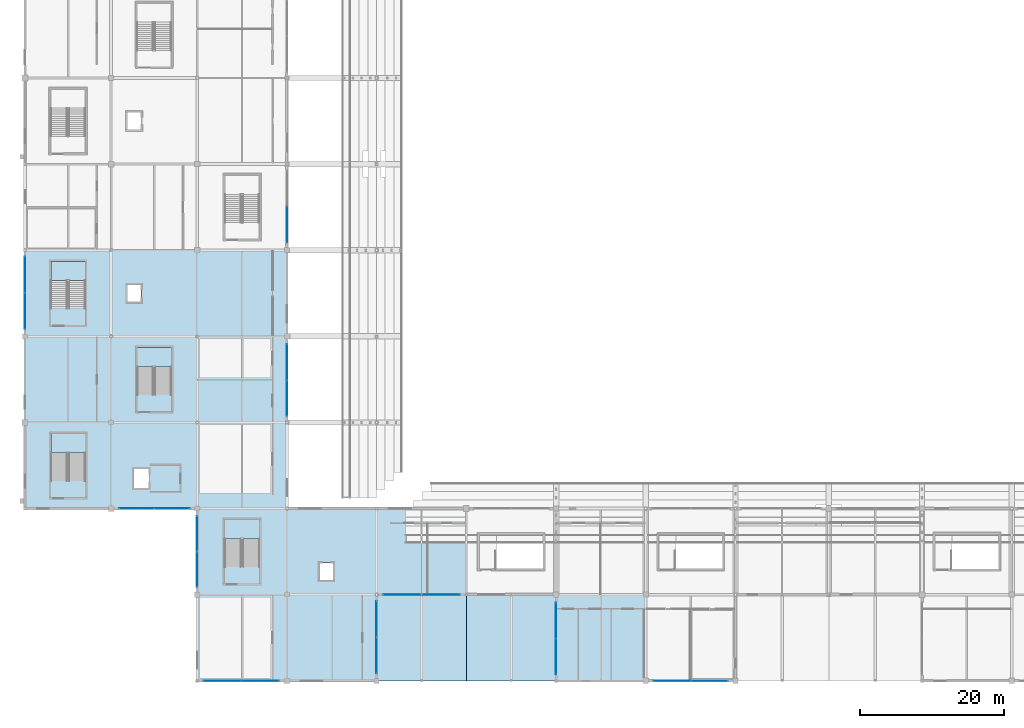
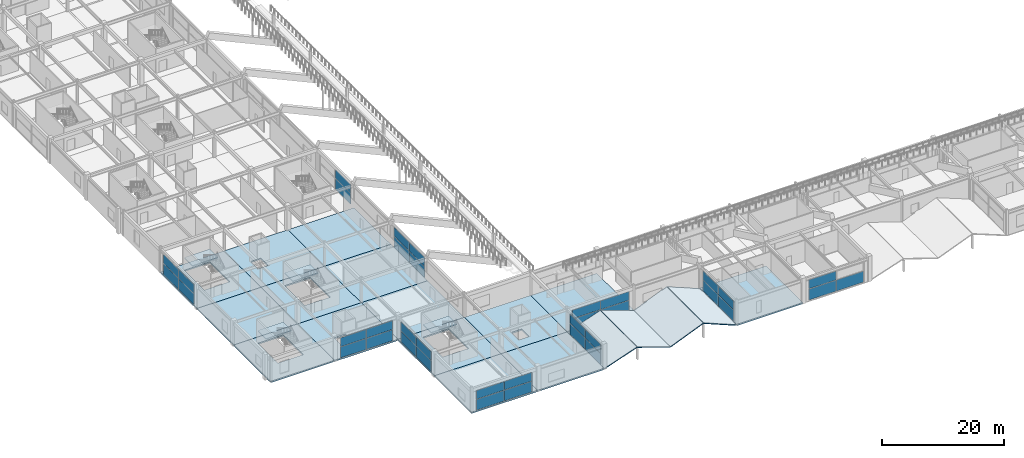
# One storey, part 69 of 128: 37 plates, 23 slabs, 14 elements without a shape of their own.
"""IFC4 building model written with IfcOpenShell, lengths in metres."""

from ifc_helpers import new_model, si_unit, direction, frame, origin, origin_2d, place, context, subcontext, project, spatial, polyline, rectangle, outline, extrude, material, layer, layer_set, type_object, element, aggregate, save


model = new_model("IFC4")

# Units and contexts
model_context = context("Model", 3, precision=1e-05, world=origin(), true_north=direction((0.0, 1.0)))
body_context = subcontext(model_context, "Body", "Model", "MODEL_VIEW")
ifc_project = project(units=[si_unit("LENGTHUNIT", "METRE"), si_unit("AREAUNIT", "SQUARE_METRE"), si_unit("VOLUMEUNIT", "CUBIC_METRE"), si_unit("PLANEANGLEUNIT", "RADIAN"), si_unit("MASSUNIT", "GRAM", prefix="KILO")], contexts=[model_context])

# Site, building, storey
site_placement = place(None, origin())
site = spatial("IfcSite", under=ifc_project, at=site_placement, CompositionType="ELEMENT")
building_placement = place(site_placement, origin())
building = spatial("IfcBuilding", under=site, at=building_placement, Name="Kazenohara Klinker Stadium", CompositionType="ELEMENT")
storey_placement = place(building_placement, frame((0.0, 0.0, 15.300048828125)))
storey = spatial("IfcBuildingStorey", under=building, at=storey_placement, Name="L03", CompositionType="ELEMENT", Elevation=15.300048828125)

# Curtain wall, plates
ifc_material_1 = material(Name="Anodised aluminium and triple glazing", Category="aluminium")
ifc_layer_1 = layer(ifc_material_1, 0.18994140625)
ifc_layer_set_1 = layer_set([ifc_layer_1], Name="Anodised aluminium and triple glazing")
curtain_wall_type_1 = type_object("IfcCurtainWallType", Name="CW-SYS-05", PredefinedType="USERDEFINED", material=ifc_layer_set_1)
curtain_wall_1_placement = place(storey_placement, origin())
curtain_wall_1 = element("IfcCurtainWall", 1, at=curtain_wall_1_placement, inside=storey, type_object=curtain_wall_type_1, Name="Unitised facade curtain wall CW05 L03 Y0-5", ObjectType="UNITISED CURTAIN WALL", PredefinedType="USERDEFINED")
ifc_material_2 = material(Name="Low-e laminated triple glazing", Category="glass")
ifc_layer_2 = layer(ifc_material_2, 0.0439453125)
ifc_layer_set_2 = layer_set([ifc_layer_2], Name="Low-e laminated triple glazing")
plate_type = type_object("IfcPlateType", Name="CW-PNL-44", PredefinedType="CURTAIN_PANEL", material=ifc_layer_set_2)
plate_1_placement = place(storey_placement, frame((0.0, 63.558349609375, 0.074951171875), z_axis=(0.0, 0.0, 1.0), x_axis=(0.0, 1.0, 0.0)))
plate_1 = element("IfcPlate", 2, at=plate_1_placement, type_object=plate_type, Name="CW05 panel 1.1", PredefinedType="CURTAIN_PANEL", context=body_context, shape_type="SweptSolid", body=[
    extrude(rectangle(XDim=4.95849609375, YDim=0.0439453125, at=origin_2d()), origin(), (0.0, 0.0, 1.0), 2.18212890625),
])
plate_2_placement = place(storey_placement, frame((0.0, 63.558349609375, 2.33203125), z_axis=(0.0, 0.0, 1.0), x_axis=(0.0, 1.0, 0.0)))
plate_2 = element("IfcPlate", 3, at=plate_2_placement, type_object=plate_type, Name="CW05 panel 1.2", PredefinedType="CURTAIN_PANEL", context=body_context, shape_type="SweptSolid", body=[
    extrude(rectangle(XDim=4.95849609375, YDim=0.0439453125, at=origin_2d()), origin(), (0.0, 0.0, 1.0), 1.764892578125),
])
plate_3_placement = place(storey_placement, frame((0.0, 68.591796875, 0.074951171875), z_axis=(0.0, 0.0, 1.0), x_axis=(0.0, 1.0, 0.0)))
plate_3 = element("IfcPlate", 4, at=plate_3_placement, type_object=plate_type, Name="CW05 panel 2.1", PredefinedType="CURTAIN_PANEL", context=body_context, shape_type="SweptSolid", body=[
    extrude(rectangle(XDim=4.95849609375, YDim=0.0439453125, at=origin_2d()), origin(), (0.0, 0.0, 1.0), 2.18212890625),
])
plate_4_placement = place(storey_placement, frame((0.0, 68.591796875, 2.33203125), z_axis=(0.0, 0.0, 1.0), x_axis=(0.0, 1.0, 0.0)))
plate_4 = element("IfcPlate", 5, at=plate_4_placement, type_object=plate_type, Name="CW05 panel 2.2", PredefinedType="CURTAIN_PANEL", context=body_context, shape_type="SweptSolid", body=[
    extrude(rectangle(XDim=4.95849609375, YDim=0.0439453125, at=origin_2d()), origin(), (0.0, 0.0, 1.0), 1.764892578125),
])
aggregate(curtain_wall_1, [plate_1, plate_2, plate_3, plate_4])

ifc_layer_3 = layer(ifc_material_1, 0.199951171875)
ifc_layer_set_3 = layer_set([ifc_layer_3], Name="Anodised aluminium and triple glazing")
curtain_wall_type_2 = type_object("IfcCurtainWallType", Name="CW-SYS-03", PredefinedType="USERDEFINED", material=ifc_layer_set_3)
curtain_wall_2_placement = place(storey_placement, origin())
curtain_wall_2 = element("IfcCurtainWall", 6, at=curtain_wall_2_placement, inside=storey, type_object=curtain_wall_type_2, Name="Unitised facade curtain wall CW03 L03 X1-3", ObjectType="UNITISED CURTAIN WALL", PredefinedType="USERDEFINED")
plate_5_placement = place(storey_placement, frame((15.558349609375, 36.0, 0.07470703125), z_axis=(0.0, 0.0, 1.0), x_axis=(1.0, 0.0, 0.0)))
plate_5 = element("IfcPlate", 7, at=plate_5_placement, type_object=plate_type, Name="CW03 panel 1.1", PredefinedType="CURTAIN_PANEL", context=body_context, shape_type="SweptSolid", body=[
    extrude(rectangle(XDim=4.8583984375, YDim=0.0439453125, at=origin_2d()), origin(), (0.0, 0.0, 1.0), 2.175537109375),
])
plate_6_placement = place(storey_placement, frame((15.558349609375, 36.0, 2.32568359375), z_axis=(0.0, 0.0, 1.0), x_axis=(1.0, 0.0, 0.0)))
plate_6 = element("IfcPlate", 8, at=plate_6_placement, type_object=plate_type, Name="CW03 panel 1.2", PredefinedType="CURTAIN_PANEL", context=body_context, shape_type="SweptSolid", body=[
    extrude(rectangle(XDim=4.8583984375, YDim=0.0439453125, at=origin_2d()), origin(), (0.0, 0.0, 1.0), 1.759521484375),
])
plate_7_placement = place(storey_placement, frame((20.49169921875, 36.0, 0.07470703125), z_axis=(0.0, 0.0, 1.0), x_axis=(1.0, 0.0, 0.0)))
plate_7 = element("IfcPlate", 9, at=plate_7_placement, type_object=plate_type, Name="CW03 panel 2.1", PredefinedType="CURTAIN_PANEL", context=body_context, shape_type="SweptSolid", body=[
    extrude(rectangle(XDim=4.8583984375, YDim=0.0439453125, at=origin_2d()), origin(), (0.0, 0.0, 1.0), 2.175537109375),
])
plate_8_placement = place(storey_placement, frame((20.49169921875, 36.0, 2.32568359375), z_axis=(0.0, 0.0, 1.0), x_axis=(1.0, 0.0, 0.0)))
plate_8 = element("IfcPlate", 10, at=plate_8_placement, type_object=plate_type, Name="CW03 panel 2.2", PredefinedType="CURTAIN_PANEL", context=body_context, shape_type="SweptSolid", body=[
    extrude(rectangle(XDim=4.8583984375, YDim=0.0439453125, at=origin_2d()), origin(), (0.0, 0.0, 1.0), 1.759521484375),
])
aggregate(curtain_wall_2, [plate_5, plate_6, plate_7, plate_8])

ifc_layer_4 = layer(ifc_material_1, 0.169921875)
ifc_layer_set_4 = layer_set([ifc_layer_4], Name="Anodised aluminium and triple glazing")
curtain_wall_type_3 = type_object("IfcCurtainWallType", Name="CW-SYS-04", PredefinedType="USERDEFINED", material=ifc_layer_set_4)
curtain_wall_3_placement = place(storey_placement, origin())
curtain_wall_3 = element("IfcCurtainWall", 11, at=curtain_wall_3_placement, inside=storey, type_object=curtain_wall_type_3, Name="Unitised facade curtain wall CW04 L03 X2-1", ObjectType="UNITISED CURTAIN WALL", PredefinedType="USERDEFINED")
plate_9_placement = place(storey_placement, frame((27.501953125, 12.0, 0.074951171875), z_axis=(0.0, 0.0, 1.0), x_axis=(1.0, 0.0, 0.0)))
plate_9 = element("IfcPlate", 12, at=plate_9_placement, type_object=plate_type, Name="CW04 panel 1.1", PredefinedType="CURTAIN_PANEL", context=body_context, shape_type="SweptSolid", body=[
    extrude(rectangle(XDim=5.196044921875, YDim=0.0439453125, at=origin_2d()), origin(), (0.0, 0.0, 1.0), 2.12060546875),
])
plate_10_placement = place(storey_placement, frame((27.501953125, 12.0, 2.2705078125), z_axis=(0.0, 0.0, 1.0), x_axis=(1.0, 0.0, 0.0)))
plate_10 = element("IfcPlate", 13, at=plate_10_placement, type_object=plate_type, Name="CW04 panel 1.2", PredefinedType="CURTAIN_PANEL", context=body_context, shape_type="SweptSolid", body=[
    extrude(rectangle(XDim=5.196044921875, YDim=0.0439453125, at=origin_2d()), origin(), (0.0, 0.0, 1.0), 1.714599609375),
])
plate_11_placement = place(storey_placement, frame((32.77294921875, 12.0, 0.074951171875), z_axis=(0.0, 0.0, 1.0), x_axis=(1.0, 0.0, 0.0)))
plate_11 = element("IfcPlate", 14, at=plate_11_placement, type_object=plate_type, Name="CW04 panel 2.1", PredefinedType="CURTAIN_PANEL", context=body_context, shape_type="SweptSolid", body=[
    extrude(rectangle(XDim=5.196044921875, YDim=0.0439453125, at=origin_2d()), origin(), (0.0, 0.0, 1.0), 2.12060546875),
])
plate_12_placement = place(storey_placement, frame((32.77294921875, 12.0, 2.2705078125), z_axis=(0.0, 0.0, 1.0), x_axis=(1.0, 0.0, 0.0)))
plate_12 = element("IfcPlate", 15, at=plate_12_placement, type_object=plate_type, Name="CW04 panel 2.2", PredefinedType="CURTAIN_PANEL", context=body_context, shape_type="SweptSolid", body=[
    extrude(rectangle(XDim=5.196044921875, YDim=0.0439453125, at=origin_2d()), origin(), (0.0, 0.0, 1.0), 1.714599609375),
])
aggregate(curtain_wall_3, [plate_9, plate_10, plate_11, plate_12])

curtain_wall_4_placement = place(storey_placement, origin())
curtain_wall_4 = element("IfcCurtainWall", 16, at=curtain_wall_4_placement, inside=storey, type_object=curtain_wall_type_1, Name="Unitised facade curtain wall CW05 L03 Y2-2", ObjectType="UNITISED CURTAIN WALL", PredefinedType="USERDEFINED")
plate_13_placement = place(storey_placement, frame((24.0, 27.558349609375, 0.07470703125), z_axis=(0.0, 0.0, 1.0), x_axis=(0.0, 1.0, 0.0)))
plate_13 = element("IfcPlate", 17, at=plate_13_placement, type_object=plate_type, Name="CW05 panel 1.1", PredefinedType="CURTAIN_PANEL", context=body_context, shape_type="SweptSolid", body=[
    extrude(rectangle(XDim=4.8583984375, YDim=0.0439453125, at=origin_2d()), origin(), (0.0, 0.0, 1.0), 2.175537109375),
])
plate_14_placement = place(storey_placement, frame((24.0, 27.558349609375, 2.32568359375), z_axis=(0.0, 0.0, 1.0), x_axis=(0.0, 1.0, 0.0)))
plate_14 = element("IfcPlate", 18, at=plate_14_placement, type_object=plate_type, Name="CW05 panel 1.2", PredefinedType="CURTAIN_PANEL", context=body_context, shape_type="SweptSolid", body=[
    extrude(rectangle(XDim=4.8583984375, YDim=0.0439453125, at=origin_2d()), origin(), (0.0, 0.0, 1.0), 1.759521484375),
])
plate_15_placement = place(storey_placement, frame((24.0, 32.49169921875, 0.07470703125), z_axis=(0.0, 0.0, 1.0), x_axis=(0.0, 1.0, 0.0)))
plate_15 = element("IfcPlate", 19, at=plate_15_placement, type_object=plate_type, Name="CW05 panel 2.1", PredefinedType="CURTAIN_PANEL", context=body_context, shape_type="SweptSolid", body=[
    extrude(rectangle(XDim=4.8583984375, YDim=0.0439453125, at=origin_2d()), origin(), (0.0, 0.0, 1.0), 2.175537109375),
])
plate_16_placement = place(storey_placement, frame((24.0, 32.49169921875, 2.32568359375), z_axis=(0.0, 0.0, 1.0), x_axis=(0.0, 1.0, 0.0)))
plate_16 = element("IfcPlate", 20, at=plate_16_placement, type_object=plate_type, Name="CW05 panel 2.2", PredefinedType="CURTAIN_PANEL", context=body_context, shape_type="SweptSolid", body=[
    extrude(rectangle(XDim=4.8583984375, YDim=0.0439453125, at=origin_2d()), origin(), (0.0, 0.0, 1.0), 1.759521484375),
])
aggregate(curtain_wall_4, [plate_13, plate_14, plate_15, plate_16])

ifc_layer_5 = layer(ifc_material_1, 0.159912109375)
ifc_layer_set_5 = layer_set([ifc_layer_5], Name="Anodised aluminium and triple glazing")
curtain_wall_type_4 = type_object("IfcCurtainWallType", Name="CW-SYS-01", PredefinedType="USERDEFINED", material=ifc_layer_set_5)
curtain_wall_5_placement = place(storey_placement, origin())
curtain_wall_5 = element("IfcCurtainWall", 21, at=curtain_wall_5_placement, inside=storey, type_object=curtain_wall_type_4, Name="Unitised facade curtain wall CW01 L03 Y3-4", ObjectType="UNITISED CURTAIN WALL", PredefinedType="USERDEFINED")
plate_17_placement = place(storey_placement, frame((36.5, 51.376953125, 0.07470703125), z_axis=(0.0, 0.0, 1.0), x_axis=(0.0, 1.0, 0.0)))
plate_17 = element("IfcPlate", 22, at=plate_17_placement, type_object=plate_type, Name="CW01 panel 1.1", PredefinedType="CURTAIN_PANEL", context=body_context, shape_type="SweptSolid", body=[
    extrude(rectangle(XDim=4.946044921875, YDim=0.0439453125, at=origin_2d()), origin(), (0.0, 0.0, 1.0), 2.175537109375),
])
plate_18_placement = place(storey_placement, frame((36.5, 51.376953125, 2.32568359375), z_axis=(0.0, 0.0, 1.0), x_axis=(0.0, 1.0, 0.0)))
plate_18 = element("IfcPlate", 23, at=plate_18_placement, type_object=plate_type, Name="CW01 panel 1.2", PredefinedType="CURTAIN_PANEL", context=body_context, shape_type="SweptSolid", body=[
    extrude(rectangle(XDim=4.946044921875, YDim=0.0439453125, at=origin_2d()), origin(), (0.0, 0.0, 1.0), 1.759521484375),
])
plate_19_placement = place(storey_placement, frame((36.5, 56.39794921875, 0.07470703125), z_axis=(0.0, 0.0, 1.0), x_axis=(0.0, 1.0, 0.0)))
plate_19 = element("IfcPlate", 24, at=plate_19_placement, type_object=plate_type, Name="CW01 panel 2.1", PredefinedType="CURTAIN_PANEL", context=body_context, shape_type="SweptSolid", body=[
    extrude(rectangle(XDim=4.946044921875, YDim=0.0439453125, at=origin_2d()), origin(), (0.0, 0.0, 1.0), 2.175537109375),
])
plate_20_placement = place(storey_placement, frame((36.5, 56.39794921875, 2.32568359375), z_axis=(0.0, 0.0, 1.0), x_axis=(0.0, 1.0, 0.0)))
plate_20 = element("IfcPlate", 25, at=plate_20_placement, type_object=plate_type, Name="CW01 panel 2.2", PredefinedType="CURTAIN_PANEL", context=body_context, shape_type="SweptSolid", body=[
    extrude(rectangle(XDim=4.946044921875, YDim=0.0439453125, at=origin_2d()), origin(), (0.0, 0.0, 1.0), 1.759521484375),
])
aggregate(curtain_wall_5, [plate_17, plate_18, plate_19, plate_20])

ifc_layer_6 = layer(ifc_material_1, 0.179931640625)
ifc_layer_set_6 = layer_set([ifc_layer_6], Name="Anodised aluminium and triple glazing")
curtain_wall_type_5 = type_object("IfcCurtainWallType", Name="CW-SYS-02", PredefinedType="USERDEFINED", material=ifc_layer_set_6)
curtain_wall_6_placement = place(storey_placement, origin())
curtain_wall_6 = element("IfcCurtainWall", 26, at=curtain_wall_6_placement, inside=storey, type_object=curtain_wall_type_5, Name="Unitised facade curtain wall CW02 L03 Y3-6", ObjectType="UNITISED CURTAIN WALL", PredefinedType="USERDEFINED")
plate_21_placement = place(storey_placement, frame((36.5, 75.558349609375, 0.074951171875), z_axis=(0.0, 0.0, 1.0), x_axis=(0.0, 1.0, 0.0)))
plate_21 = element("IfcPlate", 27, at=plate_21_placement, type_object=plate_type, Name="CW02 panel 1.1", PredefinedType="CURTAIN_PANEL", context=body_context, shape_type="SweptSolid", body=[
    extrude(rectangle(XDim=4.95849609375, YDim=0.0439453125, at=origin_2d()), origin(), (0.0, 0.0, 1.0), 2.12060546875),
])
plate_22_placement = place(storey_placement, frame((36.5, 75.558349609375, 2.2705078125), z_axis=(0.0, 0.0, 1.0), x_axis=(0.0, 1.0, 0.0)))
plate_22 = element("IfcPlate", 28, at=plate_22_placement, type_object=plate_type, Name="CW02 panel 1.2", PredefinedType="CURTAIN_PANEL", context=body_context, shape_type="SweptSolid", body=[
    extrude(rectangle(XDim=4.95849609375, YDim=0.0439453125, at=origin_2d()), origin(), (0.0, 0.0, 1.0), 1.714599609375),
])
aggregate(curtain_wall_6, [plate_21, plate_22])

curtain_wall_7_placement = place(storey_placement, origin())
curtain_wall_7 = element("IfcCurtainWall", 29, at=curtain_wall_7_placement, inside=storey, type_object=curtain_wall_type_5, Name="Unitised facade curtain wall CW02 L03 Y4-1", ObjectType="UNITISED CURTAIN WALL", PredefinedType="USERDEFINED")
plate_23_placement = place(storey_placement, frame((49.0, 15.558349609375, 0.074951171875), z_axis=(0.0, 0.0, 1.0), x_axis=(0.0, 1.0, 0.0)))
plate_23 = element("IfcPlate", 30, at=plate_23_placement, type_object=plate_type, Name="CW02 panel 1.1", PredefinedType="CURTAIN_PANEL", context=body_context, shape_type="SweptSolid", body=[
    extrude(rectangle(XDim=4.95849609375, YDim=0.0439453125, at=origin_2d()), origin(), (0.0, 0.0, 1.0), 2.18212890625),
])
plate_24_placement = place(storey_placement, frame((49.0, 15.558349609375, 2.33203125), z_axis=(0.0, 0.0, 1.0), x_axis=(0.0, 1.0, 0.0)))
plate_24 = element("IfcPlate", 31, at=plate_24_placement, type_object=plate_type, Name="CW02 panel 1.2", PredefinedType="CURTAIN_PANEL", context=body_context, shape_type="SweptSolid", body=[
    extrude(rectangle(XDim=4.95849609375, YDim=0.0439453125, at=origin_2d()), origin(), (0.0, 0.0, 1.0), 1.764892578125),
])
plate_25_placement = place(storey_placement, frame((49.0, 20.591796875, 0.074951171875), z_axis=(0.0, 0.0, 1.0), x_axis=(0.0, 1.0, 0.0)))
plate_25 = element("IfcPlate", 32, at=plate_25_placement, type_object=plate_type, Name="CW02 panel 2.1", PredefinedType="CURTAIN_PANEL", context=body_context, shape_type="SweptSolid", body=[
    extrude(rectangle(XDim=4.95849609375, YDim=0.0439453125, at=origin_2d()), origin(), (0.0, 0.0, 1.0), 2.18212890625),
])
plate_26_placement = place(storey_placement, frame((49.0, 20.591796875, 2.33203125), z_axis=(0.0, 0.0, 1.0), x_axis=(0.0, 1.0, 0.0)))
plate_26 = element("IfcPlate", 33, at=plate_26_placement, type_object=plate_type, Name="CW02 panel 2.2", PredefinedType="CURTAIN_PANEL", context=body_context, shape_type="SweptSolid", body=[
    extrude(rectangle(XDim=4.95849609375, YDim=0.0439453125, at=origin_2d()), origin(), (0.0, 0.0, 1.0), 1.764892578125),
])
aggregate(curtain_wall_7, [plate_23, plate_24, plate_25, plate_26])

curtain_wall_8_placement = place(storey_placement, origin())
curtain_wall_8 = element("IfcCurtainWall", 34, at=curtain_wall_8_placement, inside=storey, type_object=curtain_wall_type_2, Name="Unitised facade curtain wall CW03 L03 X4-2", ObjectType="UNITISED CURTAIN WALL", PredefinedType="USERDEFINED")
plate_27_placement = place(storey_placement, frame((52.576904296875, 24.0, 0.074951171875), z_axis=(0.0, 0.0, 1.0), x_axis=(1.0, 0.0, 0.0)))
plate_27 = element("IfcPlate", 35, at=plate_27_placement, type_object=plate_type, Name="CW03 panel 1.1", PredefinedType="CURTAIN_PANEL", context=body_context, shape_type="SweptSolid", body=[
    extrude(rectangle(XDim=5.2958984375, YDim=0.0439453125, at=origin_2d()), origin(), (0.0, 0.0, 1.0), 2.12060546875),
])
plate_28_placement = place(storey_placement, frame((52.576904296875, 24.0, 2.2705078125), z_axis=(0.0, 0.0, 1.0), x_axis=(1.0, 0.0, 0.0)))
plate_28 = element("IfcPlate", 36, at=plate_28_placement, type_object=plate_type, Name="CW03 panel 1.2", PredefinedType="CURTAIN_PANEL", context=body_context, shape_type="SweptSolid", body=[
    extrude(rectangle(XDim=5.2958984375, YDim=0.0439453125, at=origin_2d()), origin(), (0.0, 0.0, 1.0), 1.714599609375),
])
plate_29_placement = place(storey_placement, frame((57.947998046875, 24.0, 0.074951171875), z_axis=(0.0, 0.0, 1.0), x_axis=(1.0, 0.0, 0.0)))
plate_29 = element("IfcPlate", 37, at=plate_29_placement, type_object=plate_type, Name="CW03 panel 2.1", PredefinedType="CURTAIN_PANEL", context=body_context, shape_type="SweptSolid", body=[
    extrude(rectangle(XDim=5.2958984375, YDim=0.0439453125, at=origin_2d()), origin(), (0.0, 0.0, 1.0), 2.12060546875),
])
plate_30_placement = place(storey_placement, frame((57.947998046875, 24.0, 2.2705078125), z_axis=(0.0, 0.0, 1.0), x_axis=(1.0, 0.0, 0.0)))
plate_30 = element("IfcPlate", 38, at=plate_30_placement, type_object=plate_type, Name="CW03 panel 2.2", PredefinedType="CURTAIN_PANEL", context=body_context, shape_type="SweptSolid", body=[
    extrude(rectangle(XDim=5.2958984375, YDim=0.0439453125, at=origin_2d()), origin(), (0.0, 0.0, 1.0), 1.714599609375),
])
aggregate(curtain_wall_8, [plate_27, plate_28, plate_29, plate_30])

curtain_wall_9_placement = place(storey_placement, origin())
curtain_wall_9 = element("IfcCurtainWall", 39, at=curtain_wall_9_placement, inside=storey, type_object=curtain_wall_type_2, Name="Unitised facade curtain wall CW03 L03 Y6-1", ObjectType="UNITISED CURTAIN WALL", PredefinedType="USERDEFINED")
plate_31_placement = place(storey_placement, frame((74.0, 15.376953125, 0.07470703125), z_axis=(0.0, 0.0, 1.0), x_axis=(0.0, 1.0, 0.0)))
plate_31 = element("IfcPlate", 40, at=plate_31_placement, type_object=plate_type, Name="CW03 panel 1.1", PredefinedType="CURTAIN_PANEL", context=body_context, shape_type="SweptSolid", body=[
    extrude(rectangle(XDim=4.946044921875, YDim=0.0439453125, at=origin_2d()), origin(), (0.0, 0.0, 1.0), 2.175537109375),
])
plate_32_placement = place(storey_placement, frame((74.0, 15.376953125, 2.32568359375), z_axis=(0.0, 0.0, 1.0), x_axis=(0.0, 1.0, 0.0)))
plate_32 = element("IfcPlate", 41, at=plate_32_placement, type_object=plate_type, Name="CW03 panel 1.2", PredefinedType="CURTAIN_PANEL", context=body_context, shape_type="SweptSolid", body=[
    extrude(rectangle(XDim=4.946044921875, YDim=0.0439453125, at=origin_2d()), origin(), (0.0, 0.0, 1.0), 1.759521484375),
])
plate_33_placement = place(storey_placement, frame((74.0, 20.39794921875, 0.07470703125), z_axis=(0.0, 0.0, 1.0), x_axis=(0.0, 1.0, 0.0)))
plate_33 = element("IfcPlate", 42, at=plate_33_placement, type_object=plate_type, Name="CW03 panel 2.1", PredefinedType="CURTAIN_PANEL", context=body_context, shape_type="SweptSolid", body=[
    extrude(rectangle(XDim=4.946044921875, YDim=0.0439453125, at=origin_2d()), origin(), (0.0, 0.0, 1.0), 2.175537109375),
])
plate_34_placement = place(storey_placement, frame((74.0, 20.39794921875, 2.32568359375), z_axis=(0.0, 0.0, 1.0), x_axis=(0.0, 1.0, 0.0)))
plate_34 = element("IfcPlate", 43, at=plate_34_placement, type_object=plate_type, Name="CW03 panel 2.2", PredefinedType="CURTAIN_PANEL", context=body_context, shape_type="SweptSolid", body=[
    extrude(rectangle(XDim=4.946044921875, YDim=0.0439453125, at=origin_2d()), origin(), (0.0, 0.0, 1.0), 1.759521484375),
])
aggregate(curtain_wall_9, [plate_31, plate_32, plate_33, plate_34])

curtain_wall_10_placement = place(storey_placement, origin())
curtain_wall_10 = element("IfcCurtainWall", 44, at=curtain_wall_10_placement, inside=storey, type_object=curtain_wall_type_1, Name="Unitised facade curtain wall CW05 L03 X7-1", ObjectType="UNITISED CURTAIN WALL", PredefinedType="USERDEFINED")
plate_35_placement = place(storey_placement, frame((90.183349609375, 12.0, 0.074951171875), z_axis=(0.0, 0.0, 1.0), x_axis=(1.0, 0.0, 0.0)))
plate_35 = element("IfcPlate", 45, at=plate_35_placement, type_object=plate_type, Name="CW05 panel 1.1", PredefinedType="CURTAIN_PANEL", context=body_context, shape_type="SweptSolid", body=[
    extrude(rectangle(XDim=5.1083984375, YDim=0.0439453125, at=origin_2d()), origin(), (0.0, 0.0, 1.0), 2.18212890625),
])
plate_36_placement = place(storey_placement, frame((90.183349609375, 12.0, 2.33203125), z_axis=(0.0, 0.0, 1.0), x_axis=(1.0, 0.0, 0.0)))
plate_36 = element("IfcPlate", 46, at=plate_36_placement, type_object=plate_type, Name="CW05 panel 1.2", PredefinedType="CURTAIN_PANEL", context=body_context, shape_type="SweptSolid", body=[
    extrude(rectangle(XDim=5.1083984375, YDim=0.0439453125, at=origin_2d()), origin(), (0.0, 0.0, 1.0), 1.764892578125),
])
plate_37_placement = place(storey_placement, frame((95.36669921875, 12.0, 0.074951171875), z_axis=(0.0, 0.0, 1.0), x_axis=(1.0, 0.0, 0.0)))
plate_37 = element("IfcPlate", 47, at=plate_37_placement, type_object=plate_type, Name="CW05 panel 2.1", PredefinedType="CURTAIN_PANEL", context=body_context, shape_type="SweptSolid", body=[
    extrude(rectangle(XDim=5.1083984375, YDim=0.0439453125, at=origin_2d()), origin(), (0.0, 0.0, 1.0), 2.18212890625),
])
aggregate(curtain_wall_10, [plate_35, plate_36, plate_37])

# Slabs
ifc_material_3 = material(Name="Concrete C40/50", Category="concrete")
ifc_layer_7 = layer(ifc_material_3, 0.280029296875)
ifc_layer_set_7 = layer_set([ifc_layer_7], Name="Concrete C40/50")
slab_type_1 = type_object("IfcSlabType", Name="SLB-FLR-280", PredefinedType="FLOOR", material=ifc_layer_set_7)
slab_1_placement = place(storey_placement, frame((0.0, 0.0, -0.280029296875)))
element("IfcSlab", 48, at=slab_1_placement, inside=storey, type_object=slab_type_1, Name="Floor slab FS04 L03 1/D", PredefinedType="FLOOR", context=body_context, shape_type="SweptSolid", body=[
    extrude(outline(polyline([(0.0, 36.0), (12.0, 36.0), (12.0, 48.0), (0.0, 48.0), (0.0, 36.0)]), holes=[polyline([(8.39990234375, 39.919921875), (8.39990234375, 46.4599609375), (3.60009765625, 46.4599609375), (3.60009765625, 39.919921875), (8.39990234375, 39.919921875)])]), origin(), (0.0, 0.0, 1.0), 0.280029296875),
])
slab_2_placement = place(storey_placement, frame((0.0, 0.0, -0.280029296875)))
element("IfcSlab", 49, at=slab_2_placement, inside=storey, type_object=slab_type_1, Name="Floor slab FS04 L03 1/E", PredefinedType="FLOOR", context=body_context, shape_type="SweptSolid", body=[
    extrude(outline(polyline([(0.0, 48.0), (12.0, 48.0), (12.0, 60.0), (0.0, 60.0), (0.0, 48.0)])), origin(), (0.0, 0.0, 1.0), 0.280029296875),
])
slab_3_placement = place(storey_placement, frame((0.0, 0.0, -0.280029296875)))
element("IfcSlab", 50, at=slab_3_placement, inside=storey, type_object=slab_type_1, Name="Floor slab FS04 L03 1/F", PredefinedType="FLOOR", context=body_context, shape_type="SweptSolid", body=[
    extrude(outline(polyline([(0.0, 60.0), (12.0, 60.0), (12.0, 72.0), (0.0, 72.0), (0.0, 60.0)]), holes=[polyline([(8.409912109375, 63.929931640625), (8.409912109375, 70.4599609375), (3.590087890625, 70.4599609375), (3.590087890625, 63.929931640625), (8.409912109375, 63.929931640625)])]), origin(), (0.0, 0.0, 1.0), 0.280029296875),
])
slab_4_placement = place(storey_placement, frame((0.0, 0.0, -0.280029296875)))
element("IfcSlab", 51, at=slab_4_placement, inside=storey, type_object=slab_type_1, Name="Floor slab FS04 L03 2/D", PredefinedType="FLOOR", context=body_context, shape_type="SweptSolid", body=[
    extrude(outline(polyline([(12.0, 36.0), (24.0, 36.0), (24.0, 48.0), (12.0, 48.0), (12.0, 36.0)]), holes=[polyline([(15.14990234375, 38.85009765625), (17.25, 38.85009765625), (17.25, 41.550048828125), (15.14990234375, 41.550048828125), (15.14990234375, 38.85009765625)])]), origin(), (0.0, 0.0, 1.0), 0.280029296875),
])
slab_5_placement = place(storey_placement, frame((0.0, 0.0, -0.280029296875)))
element("IfcSlab", 52, at=slab_5_placement, inside=storey, type_object=slab_type_1, Name="Floor slab FS04 L03 2/E", PredefinedType="FLOOR", context=body_context, shape_type="SweptSolid", body=[
    extrude(outline(polyline([(12.0, 48.0), (24.0, 48.0), (24.0, 60.0), (12.0, 60.0), (12.0, 48.0)]), holes=[polyline([(20.39990234375, 51.919921875), (20.39990234375, 58.4599609375), (15.60009765625, 58.4599609375), (15.60009765625, 51.919921875), (20.39990234375, 51.919921875)])]), origin(), (0.0, 0.0, 1.0), 0.280029296875),
])
slab_6_placement = place(storey_placement, frame((0.0, 0.0, -0.280029296875)))
element("IfcSlab", 53, at=slab_6_placement, inside=storey, type_object=slab_type_1, Name="Floor slab FS04 L03 2/F", PredefinedType="FLOOR", context=body_context, shape_type="SweptSolid", body=[
    extrude(outline(polyline([(12.0, 60.0), (24.0, 60.0), (24.0, 72.0), (12.0, 72.0), (12.0, 60.0)]), holes=[polyline([(14.25, 64.800048828125), (16.14990234375, 64.800048828125), (16.14990234375, 67.199951171875), (14.25, 67.199951171875), (14.25, 64.800048828125)])]), origin(), (0.0, 0.0, 1.0), 0.280029296875),
])
slab_7_placement = place(storey_placement, frame((0.0, 0.0, -0.280029296875)))
element("IfcSlab", 54, at=slab_7_placement, inside=storey, type_object=slab_type_1, Name="Floor slab FS04 L03 3/B", PredefinedType="FLOOR", context=body_context, shape_type="SweptSolid", body=[
    extrude(outline(polyline([(24.0, 12.0), (36.5, 12.0), (36.5, 24.0), (24.0, 24.0), (24.0, 12.0)])), origin(), (0.0, 0.0, 1.0), 0.280029296875),
])
slab_8_placement = place(storey_placement, frame((0.0, 0.0, -0.280029296875)))
element("IfcSlab", 55, at=slab_8_placement, inside=storey, type_object=slab_type_1, Name="Floor slab FS04 L03 3/C", PredefinedType="FLOOR", context=body_context, shape_type="SweptSolid", body=[
    extrude(outline(polyline([(24.0, 24.0), (36.5, 24.0), (36.5, 36.0), (24.0, 36.0), (24.0, 24.0)]), holes=[polyline([(32.679931640625, 27.949951171875), (32.679931640625, 34.4599609375), (27.820068359375, 34.4599609375), (27.820068359375, 27.949951171875), (32.679931640625, 27.949951171875)])]), origin(), (0.0, 0.0, 1.0), 0.280029296875),
])
slab_9_placement = place(storey_placement, frame((0.0, 0.0, -0.280029296875)))
element("IfcSlab", 56, at=slab_9_placement, inside=storey, type_object=slab_type_1, Name="Floor slab FS04 L03 3/D", PredefinedType="FLOOR", context=body_context, shape_type="SweptSolid", body=[
    extrude(outline(polyline([(24.0, 36.0), (36.5, 36.0), (36.5, 48.0), (24.0, 48.0), (24.0, 36.0)])), origin(), (0.0, 0.0, 1.0), 0.280029296875),
])
slab_10_placement = place(storey_placement, frame((0.0, 0.0, -0.280029296875)))
element("IfcSlab", 57, at=slab_10_placement, inside=storey, type_object=slab_type_1, Name="Floor slab FS04 L03 3/E", PredefinedType="FLOOR", context=body_context, shape_type="SweptSolid", body=[
    extrude(outline(polyline([(24.0, 48.0), (36.5, 48.0), (36.5, 60.0), (24.0, 60.0), (24.0, 48.0)])), origin(), (0.0, 0.0, 1.0), 0.280029296875),
])
slab_11_placement = place(storey_placement, frame((0.0, 0.0, -0.280029296875)))
element("IfcSlab", 58, at=slab_11_placement, inside=storey, type_object=slab_type_1, Name="Floor slab FS04 L03 3/F", PredefinedType="FLOOR", context=body_context, shape_type="SweptSolid", body=[
    extrude(outline(polyline([(24.0, 60.0), (36.5, 60.0), (36.5, 72.0), (24.0, 72.0), (24.0, 60.0)])), origin(), (0.0, 0.0, 1.0), 0.280029296875),
])
slab_12_placement = place(storey_placement, frame((0.0, 0.0, -0.280029296875)))
element("IfcSlab", 59, at=slab_12_placement, inside=storey, type_object=slab_type_1, Name="Floor slab FS04 L03 4/B", PredefinedType="FLOOR", context=body_context, shape_type="SweptSolid", body=[
    extrude(outline(polyline([(36.5, 12.0), (49.0, 12.0), (49.0, 24.0), (36.5, 24.0), (36.5, 12.0)])), origin(), (0.0, 0.0, 1.0), 0.280029296875),
])
slab_13_placement = place(storey_placement, frame((0.0, 0.0, -0.280029296875)))
element("IfcSlab", 60, at=slab_13_placement, inside=storey, type_object=slab_type_1, Name="Floor slab FS04 L03 4/C", PredefinedType="FLOOR", context=body_context, shape_type="SweptSolid", body=[
    extrude(outline(polyline([(36.5, 24.0), (49.0, 24.0), (49.0, 36.0), (36.5, 36.0), (36.5, 24.0)]), holes=[polyline([(41.050048828125, 26.0), (42.949951171875, 26.0), (42.949951171875, 28.39990234375), (41.050048828125, 28.39990234375), (41.050048828125, 26.0)])]), origin(), (0.0, 0.0, 1.0), 0.280029296875),
])
slab_14_placement = place(storey_placement, frame((0.0, 0.0, -0.280029296875)))
element("IfcSlab", 61, at=slab_14_placement, inside=storey, type_object=slab_type_1, Name="Floor slab FS04 L03 5/C", PredefinedType="FLOOR", context=body_context, shape_type="SweptSolid", body=[
    extrude(outline(polyline([(49.0, 24.0), (61.5, 24.0), (61.5, 36.0), (49.0, 36.0), (49.0, 24.0)])), origin(), (0.0, 0.0, 1.0), 0.280029296875),
])
slab_15_placement = place(storey_placement, frame((0.0, 0.0, -0.280029296875)))
element("IfcSlab", 62, at=slab_15_placement, inside=storey, type_object=slab_type_1, Name="Floor slab FS04 L03 7/B", PredefinedType="FLOOR", context=body_context, shape_type="SweptSolid", body=[
    extrude(outline(polyline([(74.0, 12.0), (86.5, 12.0), (86.5, 24.0), (74.0, 24.0), (74.0, 12.0)])), origin(), (0.0, 0.0, 1.0), 0.280029296875),
])

# Stair, slab
stair_type_1 = type_object("IfcStairType", Name="STR-DL-2300", PredefinedType="HALF_TURN_STAIR", material=ifc_material_3)
stair_1_placement = place(storey_placement, origin())
stair_1 = element("IfcStair", 63, at=stair_1_placement, inside=storey, type_object=stair_type_1, Name="L03 Enclosed escape stair ST01", PredefinedType="HALF_TURN_STAIR")
ifc_layer_8 = layer(ifc_material_3, 0.199951171875)
ifc_layer_set_8 = layer_set([ifc_layer_8], Name="Concrete C40/50")
slab_type_2 = type_object("IfcSlabType", Name="SLB-LND-200", PredefinedType="LANDING", material=ifc_layer_set_8)
slab_16_placement = place(storey_placement, frame((0.0, 0.0, 2.349853515625)))
slab_16 = element("IfcSlab", 64, at=slab_16_placement, type_object=slab_type_2, Name="ST01 landing 1", PredefinedType="LANDING", context=body_context, shape_type="SweptSolid", body=[
    extrude(outline(polyline([(8.39990234375, 43.760009765625), (8.39990234375, 46.4599609375), (3.60009765625, 46.4599609375), (3.60009765625, 43.760009765625), (8.39990234375, 43.760009765625)])), origin(), (0.0, 0.0, 1.0), 0.2001953125),
])
aggregate(stair_1, [slab_16])

stair_type_2 = type_object("IfcStairType", Name="STR-DL-2310", PredefinedType="HALF_TURN_STAIR", material=ifc_material_3)
stair_2_placement = place(storey_placement, origin())
stair_2 = element("IfcStair", 65, at=stair_2_placement, inside=storey, type_object=stair_type_2, Name="L03 Enclosed escape stair ST02", PredefinedType="HALF_TURN_STAIR")
slab_17_placement = place(storey_placement, frame((0.0, 0.0, 2.349853515625)))
slab_17 = element("IfcSlab", 66, at=slab_17_placement, type_object=slab_type_2, Name="ST02 landing 1", PredefinedType="LANDING", context=body_context, shape_type="SweptSolid", body=[
    extrude(outline(polyline([(8.409912109375, 67.77001953125), (8.409912109375, 70.4599609375), (3.590087890625, 70.4599609375), (3.590087890625, 67.77001953125), (8.409912109375, 67.77001953125)])), origin(), (0.0, 0.0, 1.0), 0.2001953125),
])
aggregate(stair_2, [slab_17])

stair_type_3 = type_object("IfcStairType", Name="STR-DL-2330", PredefinedType="HALF_TURN_STAIR", material=ifc_material_3)
stair_3_placement = place(storey_placement, origin())
stair_3 = element("IfcStair", 67, at=stair_3_placement, inside=storey, type_object=stair_type_3, Name="L03 Enclosed escape stair ST07", PredefinedType="HALF_TURN_STAIR")
slab_18_placement = place(storey_placement, frame((0.0, 0.0, 2.349853515625)))
slab_18 = element("IfcSlab", 68, at=slab_18_placement, type_object=slab_type_2, Name="ST07 landing 1", PredefinedType="LANDING", context=body_context, shape_type="SweptSolid", body=[
    extrude(outline(polyline([(32.679931640625, 31.7900390625), (32.679931640625, 34.4599609375), (27.820068359375, 34.4599609375), (27.820068359375, 31.7900390625), (32.679931640625, 31.7900390625)])), origin(), (0.0, 0.0, 1.0), 0.2001953125),
])
aggregate(stair_3, [slab_18])

stair_4_placement = place(storey_placement, origin())
stair_4 = element("IfcStair", 69, at=stair_4_placement, inside=storey, type_object=stair_type_1, Name="L03 Enclosed escape stair ST13", PredefinedType="HALF_TURN_STAIR")
slab_19_placement = place(storey_placement, frame((0.0, 0.0, 2.349853515625)))
slab_19 = element("IfcSlab", 70, at=slab_19_placement, type_object=slab_type_2, Name="ST13 landing 1", PredefinedType="LANDING", context=body_context, shape_type="SweptSolid", body=[
    extrude(outline(polyline([(20.39990234375, 55.760009765625), (20.39990234375, 58.4599609375), (15.60009765625, 58.4599609375), (15.60009765625, 55.760009765625), (20.39990234375, 55.760009765625)])), origin(), (0.0, 0.0, 1.0), 0.2001953125),
])
aggregate(stair_4, [slab_19])

# Slabs
ifc_material_4 = material(Name="Steel S355", Category="steel")
ifc_layer_9 = layer(ifc_material_4, 0.169921875)
ifc_layer_set_9 = layer_set([ifc_layer_9], Name="Steel S355")
slab_type_3 = type_object("IfcSlabType", Name="SLB-ROOF-170", PredefinedType="ROOF", material=ifc_layer_set_9)
for number, where, z_axis, x_axis, name in (
    (71, (49.0, 12.0, -0.080078125), (-0.327656136105, 0.0, 0.944797045123), (0.944797045123, 0.0, 0.327656136105), "Sloped snow-shedding wing roof RS02 L03 5/B A"),
    (72, (55.300048828125, 12.0, 2.070068359375), (0.327656136105, 0.0, 0.944797045123), (0.944797045123, 0.0, -0.327656136105), "Sloped snow-shedding wing roof RS02 L03 5/B B"),
):
    element("IfcSlab", number, at=place(storey_placement, frame(where, z_axis=z_axis, x_axis=x_axis)), inside=storey, type_object=slab_type_3, Name=name, PredefinedType="ROOF", context=body_context, shape_type="SweptSolid", body=[
        extrude(outline(polyline([(0.0, 0.0), (6.562204236223097, 0.0), (6.562204236223097, 12.0), (0.0, 12.0), (0.0, 0.0)])), origin(), (0.0, 0.0, -1.0), 0.169921875),
    ])
for number, where, z_axis, x_axis, name in (
    (73, (61.5, 12.0, -0.080078125), (-0.380383442935, 0.0, 0.924828868678), (0.924828868678, 0.0, 0.380383442935), "Sloped snow-shedding wing roof RS02 L03 6/B A"),
    (74, (67.800048828125, 12.0, 2.469970703125), (0.380383442935, 0.0, 0.924828868678), (0.924828868678, 0.0, -0.380383442935), "Sloped snow-shedding wing roof RS02 L03 6/B B"),
):
    element("IfcSlab", number, at=place(storey_placement, frame(where, z_axis=z_axis, x_axis=x_axis)), inside=storey, type_object=slab_type_3, Name=name, PredefinedType="ROOF", context=body_context, shape_type="SweptSolid", body=[
        extrude(outline(polyline([(0.0, 0.0), (6.703890181040846, 0.0), (6.703890181040846, 12.0), (0.0, 12.0), (0.0, 0.0)])), origin(), (0.0, 0.0, -1.0), 0.169921875),
    ])

save(model, "model.ifc")
